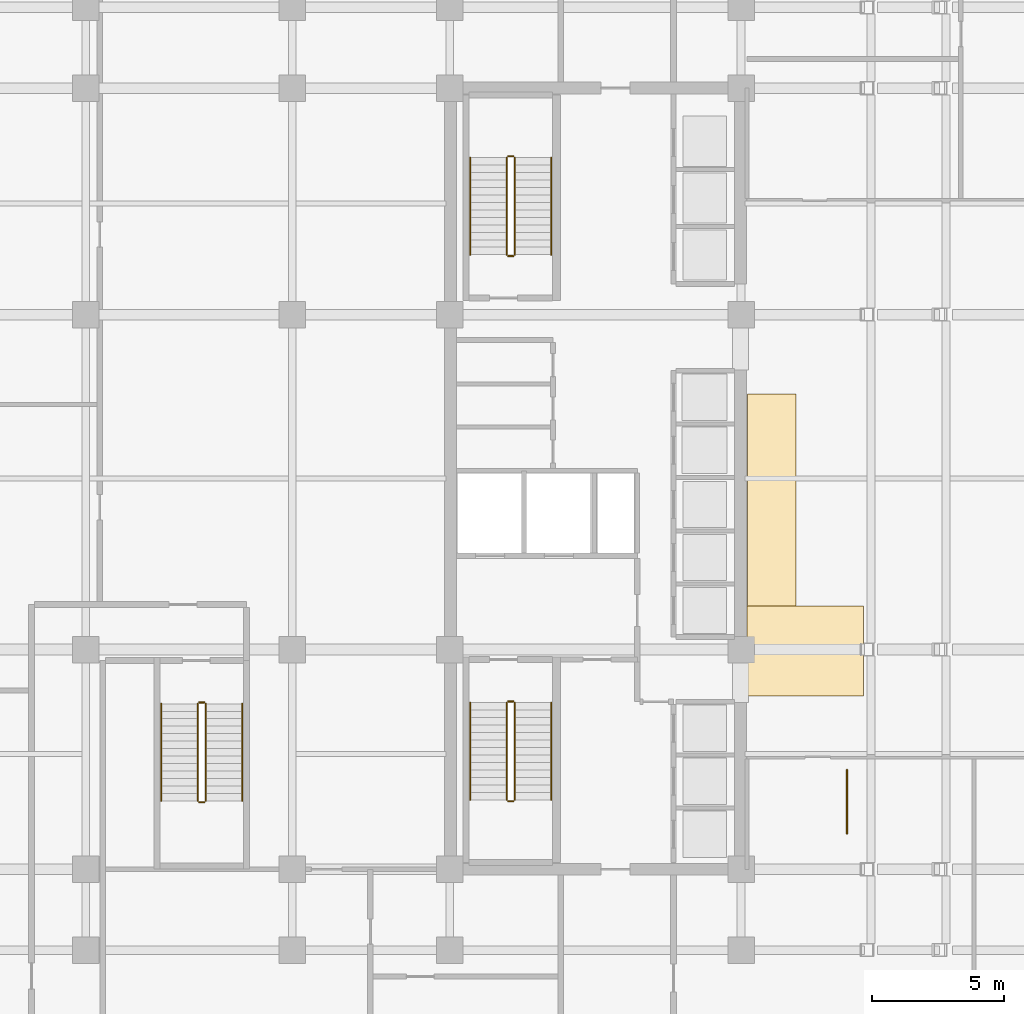
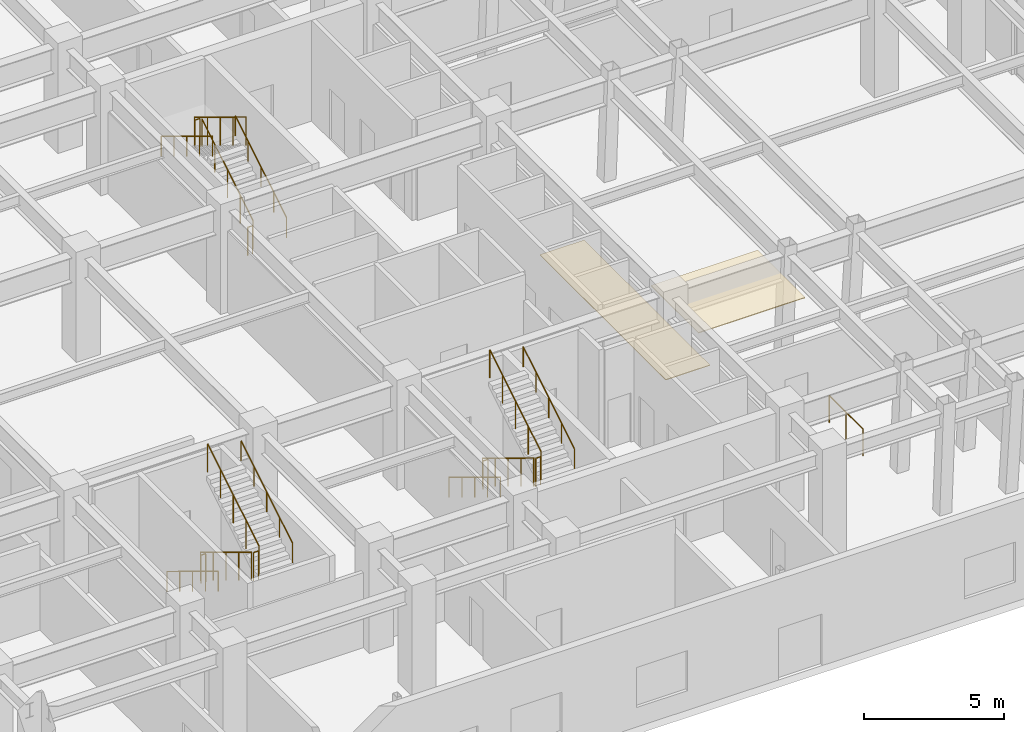
# One storey, part 12 of 13: 19 railings, 2 coverings.
"""IFC4 building model written with IfcOpenShell, lengths in metres."""

from ifc_helpers import new_model, si_unit, direction, frame, origin, origin_2d, place, context, subcontext, project, spatial, polyline, circle, outline, extrude, material, layer, layer_set, type_object, element, save


model = new_model("IFC4")

# Units and contexts
model_context = context("Model", 3, precision=1e-05, world=origin(), true_north=direction((0.0, 1.0)))
body_context = subcontext(model_context, "Body", "Model", "MODEL_VIEW")
ifc_project = project(units=[si_unit("LENGTHUNIT", "METRE"), si_unit("AREAUNIT", "SQUARE_METRE"), si_unit("VOLUMEUNIT", "CUBIC_METRE"), si_unit("PLANEANGLEUNIT", "RADIAN"), si_unit("MASSUNIT", "GRAM", prefix="KILO")], contexts=[model_context])

# Site, building, storey
site_placement = place(None, origin())
site = spatial("IfcSite", under=ifc_project, at=site_placement, CompositionType="ELEMENT")
building_placement = place(site_placement, origin())
building = spatial("IfcBuilding", under=site, at=building_placement, Name="Ochreholt Gables", CompositionType="ELEMENT")
storey_placement = place(building_placement, origin())
storey = spatial("IfcBuildingStorey", under=building, at=storey_placement, Name="L00", CompositionType="ELEMENT", Elevation=0.0)

# Coverings
ifc_material_1 = material(Name="Mineral Fibre Acoustic Ceiling Tile", Category="gypsum")
ifc_layer_1 = layer(ifc_material_1, 0.034912109375, Name="Mineral Fibre Acoustic Ceiling Tile")
ifc_layer_set_1 = layer_set([ifc_layer_1], Name="Mineral Fibre Acoustic Ceiling Tile")
covering_type_1 = type_object("IfcCoveringType", Name="COV-CEIL-AC", PredefinedType="CEILING", material=ifc_layer_set_1)
covering_1_placement = place(storey_placement, frame((0.0, 0.0, 3.510009765625)))
element("IfcCovering", 1, at=covering_1_placement, inside=storey, type_object=covering_type_1, Name="L00 Suspended Acoustic Ceiling", PredefinedType="CEILING", context=body_context, shape_type="SweptSolid", body=[
    extrude(outline(polyline([(35.419921875, 15.800048828125), (39.820068359375, 15.800048828125), (39.820068359375, 19.199951171875), (35.419921875, 19.199951171875), (35.419921875, 15.800048828125)])), origin(), (0.0, 0.0, 1.0), 0.034912109375),
])
ifc_material_2 = material(Name="Polished Terrazzo Floor Finish", Category="concrete")
ifc_layer_2 = layer(ifc_material_2, 0.02490234375, Name="Polished Terrazzo Floor Finish")
ifc_layer_set_2 = layer_set([ifc_layer_2], Name="Polished Terrazzo Floor Finish")
covering_type_2 = type_object("IfcCoveringType", Name="COV-FLR-TRZ", PredefinedType="FLOORING", material=ifc_layer_set_2)
covering_2_placement = place(storey_placement, origin())
element("IfcCovering", 2, at=covering_2_placement, inside=storey, type_object=covering_type_2, Name="L00 Floor Finish", PredefinedType="FLOORING", context=body_context, shape_type="SweptSolid", body=[
    extrude(outline(polyline([(35.449951171875, 18.199951171875), (37.280029296875, 18.199951171875), (37.280029296875, 27.199951171875), (35.449951171875, 27.199951171875), (35.449951171875, 18.199951171875)])), origin(), (0.0, 0.0, 1.0), 0.02490234375),
])

# Railings
ifc_material_3 = material(Name="Laminated Glass and Bronze Interior Balustrade", Category="glass")
railing_type_1 = type_object("IfcRailingType", Name="RL-INT-BAL", PredefinedType="BALUSTRADE", material=ifc_material_3)
railing_1_placement = place(storey_placement, frame((39.199951171875, 10.60009765625, 0.0)))
element("IfcRailing", 3, at=railing_1_placement, inside=storey, type_object=railing_type_1, Name="L00 Gallery Balustrade", PredefinedType="BALUSTRADE", context=body_context, shape_type="SweptSolid", body=[
    extrude(circle(Radius=0.02392578125, at=origin_2d()), frame((0.0, 0.0, 1.17578125), z_axis=(0.0, 1.0, 0.0), x_axis=(-1.0, 0.0, 0.0)), (0.0, 0.0, 1.0), 2.39990234375),
    extrude(circle(Radius=0.02099609375, at=origin_2d()), origin(), (0.0, 0.0, 1.0), 1.15185546875),
    extrude(circle(Radius=0.02099609375, at=origin_2d()), frame((0.0, 1.199951171875, 0.0)), (0.0, 0.0, 1.0), 1.15185546875),
    extrude(circle(Radius=0.02099609375, at=origin_2d()), frame((0.0, 2.39990234375, 0.0)), (0.0, 0.0, 1.0), 1.15185546875),
])
ifc_material_4 = material(Name="Painted Steel Stair Guardrail", Category="steel")
railing_type_2 = type_object("IfcRailingType", Name="RL-ST-GUARD", PredefinedType="GUARDRAIL", material=ifc_material_4)
railing_2_placement = place(storey_placement, frame((26.35009765625, 15.5400390625, 0.17138671875)))
element("IfcRailing", 4, at=railing_2_placement, inside=storey, type_object=railing_type_2, Name="L00 ST-1 stair guard 1", PredefinedType="GUARDRAIL", context=body_context, shape_type="SweptSolid", body=[
    extrude(circle(Radius=0.02392578125, at=origin_2d()), frame((0.0, 0.0, 1.22607421875), z_axis=(0.0, -0.85450609292, 0.519441370283), x_axis=(1.0, 0.0, 0.0)), (0.0, 0.0, 1.0), 4.290283203125),
    extrude(circle(Radius=0.02099609375, at=origin_2d()), origin(), (0.0, 0.0, 1.0), 1.201904296875),
    extrude(circle(Radius=0.02099609375, at=origin_2d()), frame((0.0, -0.91650390625, 0.55712890625)), (0.0, 0.0, 1.0), 1.201904296875),
    extrude(circle(Radius=0.02099609375, at=origin_2d()), frame((0.0, -1.8330078125, 1.1142578125)), (0.0, 0.0, 1.0), 1.201904296875),
    extrude(circle(Radius=0.02099609375, at=origin_2d()), frame((0.0, -2.74951171875, 1.67138671875)), (0.0, 0.0, 1.0), 1.201904296875),
    extrude(circle(Radius=0.02099609375, at=origin_2d()), frame((0.0, -3.666015625, 2.228515625)), (0.0, 0.0, 1.0), 1.201904296875),
])
railing_3_placement = place(storey_placement, frame((26.39990234375, 11.823974609375, 2.39990234375)))
element("IfcRailing", 5, at=railing_3_placement, inside=storey, type_object=railing_type_2, Name="L00 ST-1 stair guard 2", PredefinedType="GUARDRAIL", context=body_context, shape_type="SweptSolid", body=[
    extrude(circle(Radius=0.02392578125, at=origin_2d()), frame((0.0, 0.0, 1.22607421875), z_axis=(1.0, 0.0, 0.0), x_axis=(0.0, 1.0, 0.0)), (0.0, 0.0, 1.0), 0.2001953125),
    extrude(circle(Radius=0.02099609375, at=origin_2d()), origin(), (0.0, 0.0, 1.0), 1.201904296875),
    extrude(circle(Radius=0.02099609375, at=origin_2d()), frame((0.2001953125, 0.0, 0.0)), (0.0, 0.0, 1.0), 1.201904296875),
])
railing_4_placement = place(storey_placement, frame((26.64990234375, 11.8740234375, 2.571533203125)))
element("IfcRailing", 6, at=railing_4_placement, inside=storey, type_object=railing_type_2, Name="L00 ST-1 stair guard 3", PredefinedType="GUARDRAIL", context=body_context, shape_type="SweptSolid", body=[
    extrude(circle(Radius=0.02392578125, at=origin_2d()), frame((0.0, 0.0, 1.22607421875), z_axis=(0.0, 0.85450609292, 0.519441370283), x_axis=(-1.0, 0.0, 0.0)), (0.0, 0.0, 1.0), 4.290283203125),
    extrude(circle(Radius=0.02099609375, at=origin_2d()), origin(), (0.0, 0.0, 1.0), 1.201904296875),
    extrude(circle(Radius=0.02099609375, at=origin_2d()), frame((0.0, 0.91650390625, 0.55712890625)), (0.0, 0.0, 1.0), 1.201904296875),
    extrude(circle(Radius=0.02099609375, at=origin_2d()), frame((0.0, 1.8330078125, 1.1142578125)), (0.0, 0.0, 1.0), 1.201904296875),
    extrude(circle(Radius=0.02099609375, at=origin_2d()), frame((0.0, 2.74951171875, 1.67138671875)), (0.0, 0.0, 1.0), 1.201904296875),
    extrude(circle(Radius=0.02099609375, at=origin_2d()), frame((0.0, 3.666015625, 2.228515625)), (0.0, 0.0, 1.0), 1.201904296875),
])
railing_5_placement = place(storey_placement, frame((26.39990234375, 15.590087890625, 0.0)))
element("IfcRailing", 7, at=railing_5_placement, inside=storey, type_object=railing_type_2, Name="L00 ST-1 stair guard 4", PredefinedType="GUARDRAIL", context=body_context, shape_type="SweptSolid", body=[
    extrude(circle(Radius=0.02392578125, at=origin_2d()), frame((0.0, 0.0, 1.22607421875), z_axis=(1.0, 0.0, 0.0), x_axis=(0.0, 1.0, 0.0)), (0.0, 0.0, 1.0), 0.2001953125),
    extrude(circle(Radius=0.02099609375, at=origin_2d()), origin(), (0.0, 0.0, 1.0), 1.201904296875),
    extrude(circle(Radius=0.02099609375, at=origin_2d()), frame((0.2001953125, 0.0, 0.0)), (0.0, 0.0, 1.0), 1.201904296875),
])
railing_6_placement = place(storey_placement, frame((26.64990234375, 32.4599609375, 0.17138671875)))
element("IfcRailing", 8, at=railing_6_placement, inside=storey, type_object=railing_type_2, Name="L00 ST-2 stair guard 1", PredefinedType="GUARDRAIL", context=body_context, shape_type="SweptSolid", body=[
    extrude(circle(Radius=0.02392578125, at=origin_2d()), frame((0.0, 0.0, 1.22607421875), z_axis=(0.0, 0.85450609292, 0.519441370283), x_axis=(-1.0, 0.0, 0.0)), (0.0, 0.0, 1.0), 4.290283203125),
    extrude(circle(Radius=0.02099609375, at=origin_2d()), origin(), (0.0, 0.0, 1.0), 1.201904296875),
    extrude(circle(Radius=0.02099609375, at=origin_2d()), frame((0.0, 0.91650390625, 0.55712890625)), (0.0, 0.0, 1.0), 1.201904296875),
    extrude(circle(Radius=0.02099609375, at=origin_2d()), frame((0.0, 1.8330078125, 1.1142578125)), (0.0, 0.0, 1.0), 1.201904296875),
    extrude(circle(Radius=0.02099609375, at=origin_2d()), frame((0.0, 2.74951171875, 1.67138671875)), (0.0, 0.0, 1.0), 1.201904296875),
    extrude(circle(Radius=0.02099609375, at=origin_2d()), frame((0.0, 3.666015625, 2.228515625)), (0.0, 0.0, 1.0), 1.201904296875),
])
railing_7_placement = place(storey_placement, frame((26.60009765625, 36.176025390625, 2.39990234375)))
element("IfcRailing", 9, at=railing_7_placement, inside=storey, type_object=railing_type_2, Name="L00 ST-2 stair guard 2", PredefinedType="GUARDRAIL", context=body_context, shape_type="SweptSolid", body=[
    extrude(circle(Radius=0.02392578125, at=origin_2d()), frame((0.0, 0.0, 1.22607421875), z_axis=(-1.0, 0.0, 0.0), x_axis=(0.0, -1.0, 0.0)), (0.0, 0.0, 1.0), 0.2001953125),
    extrude(circle(Radius=0.02099609375, at=origin_2d()), origin(), (0.0, 0.0, 1.0), 1.201904296875),
    extrude(circle(Radius=0.02099609375, at=origin_2d()), frame((-0.2001953125, 0.0, 0.0)), (0.0, 0.0, 1.0), 1.201904296875),
])
railing_8_placement = place(storey_placement, frame((26.35009765625, 36.1259765625, 2.571533203125)))
element("IfcRailing", 10, at=railing_8_placement, inside=storey, type_object=railing_type_2, Name="L00 ST-2 stair guard 3", PredefinedType="GUARDRAIL", context=body_context, shape_type="SweptSolid", body=[
    extrude(circle(Radius=0.02392578125, at=origin_2d()), frame((0.0, 0.0, 1.22607421875), z_axis=(0.0, -0.85450609292, 0.519441370283), x_axis=(1.0, 0.0, 0.0)), (0.0, 0.0, 1.0), 4.290283203125),
    extrude(circle(Radius=0.02099609375, at=origin_2d()), origin(), (0.0, 0.0, 1.0), 1.201904296875),
    extrude(circle(Radius=0.02099609375, at=origin_2d()), frame((0.0, -0.91650390625, 0.55712890625)), (0.0, 0.0, 1.0), 1.201904296875),
    extrude(circle(Radius=0.02099609375, at=origin_2d()), frame((0.0, -1.8330078125, 1.1142578125)), (0.0, 0.0, 1.0), 1.201904296875),
    extrude(circle(Radius=0.02099609375, at=origin_2d()), frame((0.0, -2.74951171875, 1.67138671875)), (0.0, 0.0, 1.0), 1.201904296875),
    extrude(circle(Radius=0.02099609375, at=origin_2d()), frame((0.0, -3.666015625, 2.228515625)), (0.0, 0.0, 1.0), 1.201904296875),
])
railing_9_placement = place(storey_placement, frame((26.60009765625, 32.409912109375, 0.0)))
element("IfcRailing", 11, at=railing_9_placement, inside=storey, type_object=railing_type_2, Name="L00 ST-2 stair guard 4", PredefinedType="GUARDRAIL", context=body_context, shape_type="SweptSolid", body=[
    extrude(circle(Radius=0.02392578125, at=origin_2d()), frame((0.0, 0.0, 1.22607421875), z_axis=(-1.0, 0.0, 0.0), x_axis=(0.0, -1.0, 0.0)), (0.0, 0.0, 1.0), 0.2001953125),
    extrude(circle(Radius=0.02099609375, at=origin_2d()), origin(), (0.0, 0.0, 1.0), 1.201904296875),
    extrude(circle(Radius=0.02099609375, at=origin_2d()), frame((-0.2001953125, 0.0, 0.0)), (0.0, 0.0, 1.0), 1.201904296875),
])
railing_10_placement = place(storey_placement, frame((14.679931640625, 15.5, 0.17138671875)))
element("IfcRailing", 12, at=railing_10_placement, inside=storey, type_object=railing_type_2, Name="L00 ST-P1 stair guard 1", PredefinedType="GUARDRAIL", context=body_context, shape_type="SweptSolid", body=[
    extrude(circle(Radius=0.02392578125, at=origin_2d()), frame((0.0, 0.0, 1.22607421875), z_axis=(0.0, -0.85450609292, 0.519441370283), x_axis=(1.0, 0.0, 0.0)), (0.0, 0.0, 1.0), 4.290283203125),
    extrude(circle(Radius=0.02099609375, at=origin_2d()), origin(), (0.0, 0.0, 1.0), 1.201904296875),
    extrude(circle(Radius=0.02099609375, at=origin_2d()), frame((0.0, -0.91650390625, 0.55712890625)), (0.0, 0.0, 1.0), 1.201904296875),
    extrude(circle(Radius=0.02099609375, at=origin_2d()), frame((0.0, -1.8330078125, 1.1142578125)), (0.0, 0.0, 1.0), 1.201904296875),
    extrude(circle(Radius=0.02099609375, at=origin_2d()), frame((0.0, -2.74951171875, 1.67138671875)), (0.0, 0.0, 1.0), 1.201904296875),
    extrude(circle(Radius=0.02099609375, at=origin_2d()), frame((0.0, -3.666015625, 2.228515625)), (0.0, 0.0, 1.0), 1.201904296875),
])
railing_11_placement = place(storey_placement, frame((14.72998046875, 11.783935546875, 2.39990234375)))
element("IfcRailing", 13, at=railing_11_placement, inside=storey, type_object=railing_type_2, Name="L00 ST-P1 stair guard 2", PredefinedType="GUARDRAIL", context=body_context, shape_type="SweptSolid", body=[
    extrude(circle(Radius=0.02392578125, at=origin_2d()), frame((0.0, 0.0, 1.22607421875), z_axis=(1.0, 0.0, 0.0), x_axis=(0.0, 1.0, 0.0)), (0.0, 0.0, 1.0), 0.199951171875),
    extrude(circle(Radius=0.02099609375, at=origin_2d()), origin(), (0.0, 0.0, 1.0), 1.201904296875),
    extrude(circle(Radius=0.02099609375, at=origin_2d()), frame((0.199951171875, 0.0, 0.0)), (0.0, 0.0, 1.0), 1.201904296875),
])
railing_12_placement = place(storey_placement, frame((14.97998046875, 11.833984375, 2.571533203125)))
element("IfcRailing", 14, at=railing_12_placement, inside=storey, type_object=railing_type_2, Name="L00 ST-P1 stair guard 3", PredefinedType="GUARDRAIL", context=body_context, shape_type="SweptSolid", body=[
    extrude(circle(Radius=0.02392578125, at=origin_2d()), frame((0.0, 0.0, 1.22607421875), z_axis=(0.0, 0.85450609292, 0.519441370283), x_axis=(-1.0, 0.0, 0.0)), (0.0, 0.0, 1.0), 4.290283203125),
    extrude(circle(Radius=0.02099609375, at=origin_2d()), origin(), (0.0, 0.0, 1.0), 1.201904296875),
    extrude(circle(Radius=0.02099609375, at=origin_2d()), frame((0.0, 0.91650390625, 0.55712890625)), (0.0, 0.0, 1.0), 1.201904296875),
    extrude(circle(Radius=0.02099609375, at=origin_2d()), frame((0.0, 1.8330078125, 1.1142578125)), (0.0, 0.0, 1.0), 1.201904296875),
    extrude(circle(Radius=0.02099609375, at=origin_2d()), frame((0.0, 2.74951171875, 1.67138671875)), (0.0, 0.0, 1.0), 1.201904296875),
    extrude(circle(Radius=0.02099609375, at=origin_2d()), frame((0.0, 3.666015625, 2.228515625)), (0.0, 0.0, 1.0), 1.201904296875),
])
railing_13_placement = place(storey_placement, frame((14.72998046875, 15.550048828125, 0.0)))
element("IfcRailing", 15, at=railing_13_placement, inside=storey, type_object=railing_type_2, Name="L00 ST-P1 stair guard 4", PredefinedType="GUARDRAIL", context=body_context, shape_type="SweptSolid", body=[
    extrude(circle(Radius=0.02392578125, at=origin_2d()), frame((0.0, 0.0, 1.22607421875), z_axis=(1.0, 0.0, 0.0), x_axis=(0.0, 1.0, 0.0)), (0.0, 0.0, 1.0), 0.199951171875),
    extrude(circle(Radius=0.02099609375, at=origin_2d()), origin(), (0.0, 0.0, 1.0), 1.201904296875),
    extrude(circle(Radius=0.02099609375, at=origin_2d()), frame((0.199951171875, 0.0, 0.0)), (0.0, 0.0, 1.0), 1.201904296875),
])
ifc_material_5 = material(Name="Brushed Stainless Steel Wall Handrail", Category="steel")
railing_type_3 = type_object("IfcRailingType", Name="RL-ST-HAND", PredefinedType="HANDRAIL", material=ifc_material_5)
railing_14_placement = place(storey_placement, frame((24.969970703125, 15.5400390625, 0.17138671875)))
element("IfcRailing", 16, at=railing_14_placement, inside=storey, type_object=railing_type_3, Name="L00 ST-1 stair handrail 1", PredefinedType="HANDRAIL", context=body_context, shape_type="SweptSolid", body=[
    extrude(circle(Radius=0.02392578125, at=origin_2d()), frame((0.0, 0.0, 0.8759765625), z_axis=(0.0, -0.85450609292, 0.519441370283), x_axis=(1.0, 0.0, 0.0)), (0.0, 0.0, 1.0), 4.290283203125),
    extrude(circle(Radius=0.02099609375, at=origin_2d()), origin(), (0.0, 0.0, 1.0), 0.851806640625),
    extrude(circle(Radius=0.02099609375, at=origin_2d()), frame((0.0, -0.91650390625, 0.55712890625)), (0.0, 0.0, 1.0), 0.851806640625),
    extrude(circle(Radius=0.02099609375, at=origin_2d()), frame((0.0, -1.8330078125, 1.1142578125)), (0.0, 0.0, 1.0), 0.851806640625),
    extrude(circle(Radius=0.02099609375, at=origin_2d()), frame((0.0, -2.74951171875, 1.67138671875)), (0.0, 0.0, 1.0), 0.851806640625),
    extrude(circle(Radius=0.02099609375, at=origin_2d()), frame((0.0, -3.666015625, 2.228515625)), (0.0, 0.0, 1.0), 0.851806640625),
])
for number, where, name in (
    (17, (28.030029296875, 11.8740234375, 2.571533203125), "L00 ST-1 stair handrail 2"),
    (18, (28.030029296875, 32.4599609375, 0.17138671875), "L00 ST-2 stair handrail 1"),
):
    element("IfcRailing", number, at=place(storey_placement, frame(where)), inside=storey, type_object=railing_type_3, Name=name, PredefinedType="HANDRAIL", context=body_context, shape_type="SweptSolid", body=[
        extrude(circle(Radius=0.02392578125, at=origin_2d()), frame((0.0, 0.0, 0.8759765625), z_axis=(0.0, 0.85450609292, 0.519441370283), x_axis=(-1.0, 0.0, 0.0)), (0.0, 0.0, 1.0), 4.290283203125),
        extrude(circle(Radius=0.02099609375, at=origin_2d()), origin(), (0.0, 0.0, 1.0), 0.851806640625),
        extrude(circle(Radius=0.02099609375, at=origin_2d()), frame((0.0, 0.91650390625, 0.55712890625)), (0.0, 0.0, 1.0), 0.851806640625),
        extrude(circle(Radius=0.02099609375, at=origin_2d()), frame((0.0, 1.8330078125, 1.1142578125)), (0.0, 0.0, 1.0), 0.851806640625),
        extrude(circle(Radius=0.02099609375, at=origin_2d()), frame((0.0, 2.74951171875, 1.67138671875)), (0.0, 0.0, 1.0), 0.851806640625),
        extrude(circle(Radius=0.02099609375, at=origin_2d()), frame((0.0, 3.666015625, 2.228515625)), (0.0, 0.0, 1.0), 0.851806640625),
    ])
for number, where, name in (
    (19, (24.969970703125, 36.1259765625, 2.571533203125), "L00 ST-2 stair handrail 2"),
    (20, (13.300048828125, 15.5, 0.17138671875), "L00 ST-P1 stair handrail 1"),
):
    element("IfcRailing", number, at=place(storey_placement, frame(where)), inside=storey, type_object=railing_type_3, Name=name, PredefinedType="HANDRAIL", context=body_context, shape_type="SweptSolid", body=[
        extrude(circle(Radius=0.02392578125, at=origin_2d()), frame((0.0, 0.0, 0.8759765625), z_axis=(0.0, -0.85450609292, 0.519441370283), x_axis=(1.0, 0.0, 0.0)), (0.0, 0.0, 1.0), 4.290283203125),
        extrude(circle(Radius=0.02099609375, at=origin_2d()), origin(), (0.0, 0.0, 1.0), 0.851806640625),
        extrude(circle(Radius=0.02099609375, at=origin_2d()), frame((0.0, -0.91650390625, 0.55712890625)), (0.0, 0.0, 1.0), 0.851806640625),
        extrude(circle(Radius=0.02099609375, at=origin_2d()), frame((0.0, -1.8330078125, 1.1142578125)), (0.0, 0.0, 1.0), 0.851806640625),
        extrude(circle(Radius=0.02099609375, at=origin_2d()), frame((0.0, -2.74951171875, 1.67138671875)), (0.0, 0.0, 1.0), 0.851806640625),
        extrude(circle(Radius=0.02099609375, at=origin_2d()), frame((0.0, -3.666015625, 2.228515625)), (0.0, 0.0, 1.0), 0.851806640625),
    ])
railing_15_placement = place(storey_placement, frame((16.360107421875, 11.833984375, 2.571533203125)))
element("IfcRailing", 21, at=railing_15_placement, inside=storey, type_object=railing_type_3, Name="L00 ST-P1 stair handrail 2", PredefinedType="HANDRAIL", context=body_context, shape_type="SweptSolid", body=[
    extrude(circle(Radius=0.02392578125, at=origin_2d()), frame((0.0, 0.0, 0.8759765625), z_axis=(0.0, 0.85450609292, 0.519441370283), x_axis=(-1.0, 0.0, 0.0)), (0.0, 0.0, 1.0), 4.290283203125),
    extrude(circle(Radius=0.02099609375, at=origin_2d()), origin(), (0.0, 0.0, 1.0), 0.851806640625),
    extrude(circle(Radius=0.02099609375, at=origin_2d()), frame((0.0, 0.91650390625, 0.55712890625)), (0.0, 0.0, 1.0), 0.851806640625),
    extrude(circle(Radius=0.02099609375, at=origin_2d()), frame((0.0, 1.8330078125, 1.1142578125)), (0.0, 0.0, 1.0), 0.851806640625),
    extrude(circle(Radius=0.02099609375, at=origin_2d()), frame((0.0, 2.74951171875, 1.67138671875)), (0.0, 0.0, 1.0), 0.851806640625),
    extrude(circle(Radius=0.02099609375, at=origin_2d()), frame((0.0, 3.666015625, 2.228515625)), (0.0, 0.0, 1.0), 0.851806640625),
])

save(model, "model.ifc")
